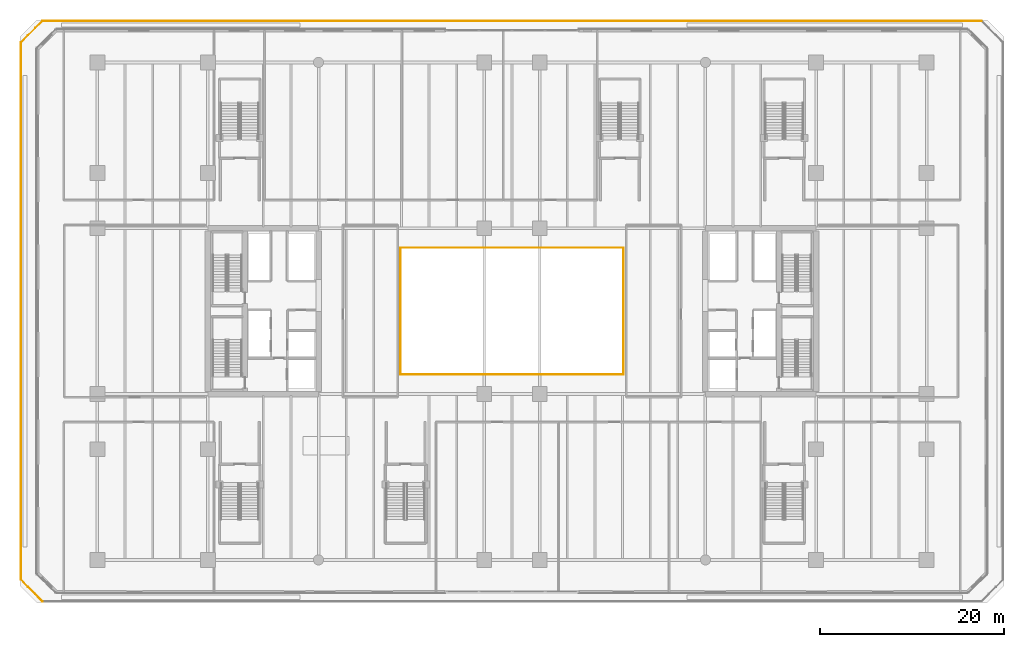
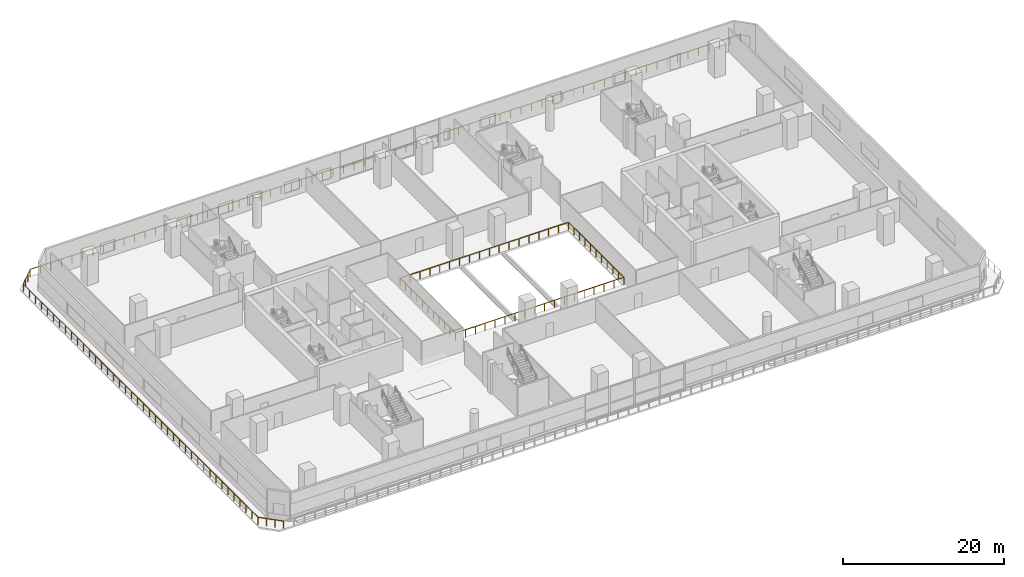
# One storey, part 19 of 27: 3 railings.
"""IFC4 building model written with IfcOpenShell, lengths in metres."""

from ifc_helpers import new_model, si_unit, direction, frame, origin, place, context, subcontext, project, spatial, rectangle, extrude, material, type_object, element, save


model = new_model("IFC4")

# Units and contexts
model_context = context("Model", 3, precision=1e-05, world=origin(), true_north=direction((0.0, 1.0)))
body_context = subcontext(model_context, "Body", "Model", "MODEL_VIEW")
ifc_project = project(units=[si_unit("LENGTHUNIT", "METRE"), si_unit("AREAUNIT", "SQUARE_METRE"), si_unit("VOLUMEUNIT", "CUBIC_METRE"), si_unit("PLANEANGLEUNIT", "RADIAN"), si_unit("MASSUNIT", "GRAM", prefix="KILO")], contexts=[model_context])

# Site, building, storey
site_placement = place(None, origin())
site = spatial("IfcSite", under=ifc_project, at=site_placement, CompositionType="ELEMENT")
building_placement = place(site_placement, origin())
building = spatial("IfcBuilding", under=site, at=building_placement, Name="Tanjung Sevakor Pilgrim Tower", CompositionType="ELEMENT")
storey_placement = place(building_placement, frame((0.0, 0.0, 14.85009765625)))
storey = spatial("IfcBuildingStorey", under=building, at=storey_placement, Name="L04", CompositionType="ELEMENT", Elevation=14.85009765625)

# Railings
ifc_material_1 = material(Name="Laminated Glass and Aluminium", Category="aluminium")
railing_type_1 = type_object("IfcRailingType", Name="RL-BAL-BALUST", PredefinedType="BALUSTRADE", material=ifc_material_1)
railing_1_placement = place(storey_placement, frame((44.919921875, 26.719970703125, 0.0)))
element("IfcRailing", 1, at=railing_1_placement, inside=storey, type_object=railing_type_1, Name="L04 Void Opening Balustrade 1A", PredefinedType="BALUSTRADE", context=body_context, shape_type="SweptSolid", body=[
    extrude(rectangle(XDim=0.0479, YDim=0.0479), frame((0.0, 0.0, 1.1259765625), z_axis=(1.0, 0.0, 0.0), x_axis=(0.0, 1.0, 0.0)), (0.0, 0.0, 1.0), 24.16015625),
    extrude(rectangle(XDim=0.0479, YDim=0.0479), frame((24.16015625, 0.0, 1.1259765625), z_axis=(0.0, 1.0, 0.0), x_axis=(-1.0, 0.0, 0.0)), (0.0, 0.0, 1.0), 13.760009765625),
    extrude(rectangle(XDim=0.042, YDim=0.042), origin(), (0.0, 0.0, 1.0), 1.101806640625),
    extrude(rectangle(XDim=0.042, YDim=0.042), frame((1.421142578125, 0.0, 0.0)), (0.0, 0.0, 1.0), 1.101806640625),
    extrude(rectangle(XDim=0.042, YDim=0.042), frame((2.84228515625, 0.0, 0.0)), (0.0, 0.0, 1.0), 1.101806640625),
    extrude(rectangle(XDim=0.042, YDim=0.042), frame((4.263671875, 0.0, 0.0)), (0.0, 0.0, 1.0), 1.101806640625),
    extrude(rectangle(XDim=0.042, YDim=0.042), frame((5.684814453125, 0.0, 0.0)), (0.0, 0.0, 1.0), 1.101806640625),
    extrude(rectangle(XDim=0.042, YDim=0.042), frame((7.10595703125, 0.0, 0.0)), (0.0, 0.0, 1.0), 1.101806640625),
    extrude(rectangle(XDim=0.042, YDim=0.042), frame((8.527099609375, 0.0, 0.0)), (0.0, 0.0, 1.0), 1.101806640625),
    extrude(rectangle(XDim=0.042, YDim=0.042), frame((9.9482421875, 0.0, 0.0)), (0.0, 0.0, 1.0), 1.101806640625),
    extrude(rectangle(XDim=0.042, YDim=0.042), frame((11.369384765625, 0.0, 0.0)), (0.0, 0.0, 1.0), 1.101806640625),
    extrude(rectangle(XDim=0.042, YDim=0.042), frame((12.790771484375, 0.0, 0.0)), (0.0, 0.0, 1.0), 1.101806640625),
    extrude(rectangle(XDim=0.042, YDim=0.042), frame((14.2119140625, 0.0, 0.0)), (0.0, 0.0, 1.0), 1.101806640625),
    extrude(rectangle(XDim=0.042, YDim=0.042), frame((15.633056640625, 0.0, 0.0)), (0.0, 0.0, 1.0), 1.101806640625),
    extrude(rectangle(XDim=0.042, YDim=0.042), frame((17.05419921875, 0.0, 0.0)), (0.0, 0.0, 1.0), 1.101806640625),
    extrude(rectangle(XDim=0.042, YDim=0.042), frame((18.475341796875, 0.0, 0.0)), (0.0, 0.0, 1.0), 1.101806640625),
    extrude(rectangle(XDim=0.042, YDim=0.042), frame((19.896484375, 0.0, 0.0)), (0.0, 0.0, 1.0), 1.101806640625),
    extrude(rectangle(XDim=0.042, YDim=0.042), frame((21.31787109375, 0.0, 0.0)), (0.0, 0.0, 1.0), 1.101806640625),
    extrude(rectangle(XDim=0.042, YDim=0.042), frame((22.739013671875, 0.0, 0.0)), (0.0, 0.0, 1.0), 1.101806640625),
    extrude(rectangle(XDim=0.042, YDim=0.042), frame((24.16015625, 0.0, 0.0)), (0.0, 0.0, 1.0), 1.101806640625),
    extrude(rectangle(XDim=0.042, YDim=0.042), frame((24.16015625, 1.3759765625, 0.0)), (0.0, 0.0, 1.0), 1.101806640625),
    extrude(rectangle(XDim=0.042, YDim=0.042), frame((24.16015625, 2.751953125, 0.0)), (0.0, 0.0, 1.0), 1.101806640625),
    extrude(rectangle(XDim=0.042, YDim=0.042), frame((24.16015625, 4.1279296875, 0.0)), (0.0, 0.0, 1.0), 1.101806640625),
    extrude(rectangle(XDim=0.042, YDim=0.042), frame((24.16015625, 5.50390625, 0.0)), (0.0, 0.0, 1.0), 1.101806640625),
    extrude(rectangle(XDim=0.042, YDim=0.042), frame((24.16015625, 6.8798828125, 0.0)), (0.0, 0.0, 1.0), 1.101806640625),
    extrude(rectangle(XDim=0.042, YDim=0.042), frame((24.16015625, 8.256103515625, 0.0)), (0.0, 0.0, 1.0), 1.101806640625),
    extrude(rectangle(XDim=0.042, YDim=0.042), frame((24.16015625, 9.632080078125, 0.0)), (0.0, 0.0, 1.0), 1.101806640625),
    extrude(rectangle(XDim=0.042, YDim=0.042), frame((24.16015625, 11.008056640625, 0.0)), (0.0, 0.0, 1.0), 1.101806640625),
    extrude(rectangle(XDim=0.042, YDim=0.042), frame((24.16015625, 12.384033203125, 0.0)), (0.0, 0.0, 1.0), 1.101806640625),
    extrude(rectangle(XDim=0.042, YDim=0.042), frame((24.16015625, 13.760009765625, 0.0)), (0.0, 0.0, 1.0), 1.101806640625),
])
railing_2_placement = place(storey_placement, frame((69.080078125, 40.47998046875, 0.0)))
element("IfcRailing", 2, at=railing_2_placement, inside=storey, type_object=railing_type_1, Name="L04 Void Opening Balustrade 1B", PredefinedType="BALUSTRADE", context=body_context, shape_type="SweptSolid", body=[
    extrude(rectangle(XDim=0.0479, YDim=0.0479), frame((0.0, 0.0, 1.1259765625), z_axis=(-1.0, 0.0, 0.0), x_axis=(0.0, -1.0, 0.0)), (0.0, 0.0, 1.0), 24.16015625),
    extrude(rectangle(XDim=0.0479, YDim=0.0479), frame((-24.16015625, 0.0, 1.1259765625), z_axis=(0.0, -1.0, 0.0), x_axis=(1.0, 0.0, 0.0)), (0.0, 0.0, 1.0), 13.760009765625),
    extrude(rectangle(XDim=0.042, YDim=0.042), origin(), (0.0, 0.0, 1.0), 1.101806640625),
    extrude(rectangle(XDim=0.042, YDim=0.042), frame((-1.421142578125, 0.0, 0.0)), (0.0, 0.0, 1.0), 1.101806640625),
    extrude(rectangle(XDim=0.042, YDim=0.042), frame((-2.84228515625, 0.0, 0.0)), (0.0, 0.0, 1.0), 1.101806640625),
    extrude(rectangle(XDim=0.042, YDim=0.042), frame((-4.263671875, 0.0, 0.0)), (0.0, 0.0, 1.0), 1.101806640625),
    extrude(rectangle(XDim=0.042, YDim=0.042), frame((-5.684814453125, 0.0, 0.0)), (0.0, 0.0, 1.0), 1.101806640625),
    extrude(rectangle(XDim=0.042, YDim=0.042), frame((-7.10595703125, 0.0, 0.0)), (0.0, 0.0, 1.0), 1.101806640625),
    extrude(rectangle(XDim=0.042, YDim=0.042), frame((-8.527099609375, 0.0, 0.0)), (0.0, 0.0, 1.0), 1.101806640625),
    extrude(rectangle(XDim=0.042, YDim=0.042), frame((-9.9482421875, 0.0, 0.0)), (0.0, 0.0, 1.0), 1.101806640625),
    extrude(rectangle(XDim=0.042, YDim=0.042), frame((-11.369384765625, 0.0, 0.0)), (0.0, 0.0, 1.0), 1.101806640625),
    extrude(rectangle(XDim=0.042, YDim=0.042), frame((-12.790771484375, 0.0, 0.0)), (0.0, 0.0, 1.0), 1.101806640625),
    extrude(rectangle(XDim=0.042, YDim=0.042), frame((-14.2119140625, 0.0, 0.0)), (0.0, 0.0, 1.0), 1.101806640625),
    extrude(rectangle(XDim=0.042, YDim=0.042), frame((-15.633056640625, 0.0, 0.0)), (0.0, 0.0, 1.0), 1.101806640625),
    extrude(rectangle(XDim=0.042, YDim=0.042), frame((-17.05419921875, 0.0, 0.0)), (0.0, 0.0, 1.0), 1.101806640625),
    extrude(rectangle(XDim=0.042, YDim=0.042), frame((-18.475341796875, 0.0, 0.0)), (0.0, 0.0, 1.0), 1.101806640625),
    extrude(rectangle(XDim=0.042, YDim=0.042), frame((-19.896484375, 0.0, 0.0)), (0.0, 0.0, 1.0), 1.101806640625),
    extrude(rectangle(XDim=0.042, YDim=0.042), frame((-21.31787109375, 0.0, 0.0)), (0.0, 0.0, 1.0), 1.101806640625),
    extrude(rectangle(XDim=0.042, YDim=0.042), frame((-22.739013671875, 0.0, 0.0)), (0.0, 0.0, 1.0), 1.101806640625),
    extrude(rectangle(XDim=0.042, YDim=0.042), frame((-24.16015625, 0.0, 0.0)), (0.0, 0.0, 1.0), 1.101806640625),
    extrude(rectangle(XDim=0.042, YDim=0.042), frame((-24.16015625, -1.3759765625, 0.0)), (0.0, 0.0, 1.0), 1.101806640625),
    extrude(rectangle(XDim=0.042, YDim=0.042), frame((-24.16015625, -2.751953125, 0.0)), (0.0, 0.0, 1.0), 1.101806640625),
    extrude(rectangle(XDim=0.042, YDim=0.042), frame((-24.16015625, -4.1279296875, 0.0)), (0.0, 0.0, 1.0), 1.101806640625),
    extrude(rectangle(XDim=0.042, YDim=0.042), frame((-24.16015625, -5.50390625, 0.0)), (0.0, 0.0, 1.0), 1.101806640625),
    extrude(rectangle(XDim=0.042, YDim=0.042), frame((-24.16015625, -6.8798828125, 0.0)), (0.0, 0.0, 1.0), 1.101806640625),
    extrude(rectangle(XDim=0.042, YDim=0.042), frame((-24.16015625, -8.256103515625, 0.0)), (0.0, 0.0, 1.0), 1.101806640625),
    extrude(rectangle(XDim=0.042, YDim=0.042), frame((-24.16015625, -9.632080078125, 0.0)), (0.0, 0.0, 1.0), 1.101806640625),
    extrude(rectangle(XDim=0.042, YDim=0.042), frame((-24.16015625, -11.008056640625, 0.0)), (0.0, 0.0, 1.0), 1.101806640625),
    extrude(rectangle(XDim=0.042, YDim=0.042), frame((-24.16015625, -12.384033203125, 0.0)), (0.0, 0.0, 1.0), 1.101806640625),
    extrude(rectangle(XDim=0.042, YDim=0.042), frame((-24.16015625, -13.760009765625, 0.0)), (0.0, 0.0, 1.0), 1.101806640625),
])
ifc_material_2 = material(Name="Steel S355J2", Category="steel")
railing_type_2 = type_object("IfcRailingType", Name="RL-EXT-GUARD", PredefinedType="GUARDRAIL", material=ifc_material_2)
railing_3_placement = place(storey_placement, frame((107.95849609375, 65.10009765625, 0.0)))
element("IfcRailing", 3, at=railing_3_placement, inside=storey, type_object=railing_type_2, Name="L04 Terrace Perimeter Guardrail GR-PODTER-L04-2", PredefinedType="GUARDRAIL", context=body_context, shape_type="SweptSolid", body=[
    extrude(rectangle(XDim=0.0479, YDim=0.0479), frame((0.0, 0.0, 1.1259765625), z_axis=(-1.0, 0.0, 0.0), x_axis=(0.0, -1.0, 0.0)), (0.0, 0.0, 1.0), 101.9169921875),
    extrude(rectangle(XDim=0.0479, YDim=0.0479), frame((-101.9169921875, 0.0, 1.1259765625), z_axis=(-0.707106781187, -0.707106781187, 0.0), x_axis=(0.707106781187, -0.707106781187, 0.0)), (0.0, 0.0, 1.0), 3.3115234375),
    extrude(rectangle(XDim=0.0479, YDim=0.0479), frame((-104.258544921875, -2.341552734375, 1.1259765625), z_axis=(0.0, -1.0, 0.0), x_axis=(1.0, 0.0, 0.0)), (0.0, 0.0, 1.0), 58.317138671875),
    extrude(rectangle(XDim=0.0479, YDim=0.0479), frame((-104.258544921875, -60.65869140625, 1.1259765625), z_axis=(0.707143645185, -0.707069915266, 0.0), x_axis=(0.707069915266, 0.707143645185, 0.0)), (0.0, 0.0, 1.0), 3.311279296875),
    extrude(rectangle(XDim=0.042, YDim=0.042), origin(), (0.0, 0.0, 1.0), 1.101806640625),
    extrude(rectangle(XDim=0.042, YDim=0.042), frame((-1.498779296875, 0.0, 0.0)), (0.0, 0.0, 1.0), 1.101806640625),
    extrude(rectangle(XDim=0.042, YDim=0.042), frame((-2.99755859375, 0.0, 0.0)), (0.0, 0.0, 1.0), 1.101806640625),
    extrude(rectangle(XDim=0.042, YDim=0.042), frame((-4.496337890625, 0.0, 0.0)), (0.0, 0.0, 1.0), 1.101806640625),
    extrude(rectangle(XDim=0.042, YDim=0.042), frame((-5.9951171875, 0.0, 0.0)), (0.0, 0.0, 1.0), 1.101806640625),
    extrude(rectangle(XDim=0.042, YDim=0.042), frame((-7.493896484375, 0.0, 0.0)), (0.0, 0.0, 1.0), 1.101806640625),
    extrude(rectangle(XDim=0.042, YDim=0.042), frame((-8.99267578125, 0.0, 0.0)), (0.0, 0.0, 1.0), 1.101806640625),
    extrude(rectangle(XDim=0.042, YDim=0.042), frame((-10.491455078125, 0.0, 0.0)), (0.0, 0.0, 1.0), 1.101806640625),
    extrude(rectangle(XDim=0.042, YDim=0.042), frame((-11.990234375, 0.0, 0.0)), (0.0, 0.0, 1.0), 1.101806640625),
    extrude(rectangle(XDim=0.042, YDim=0.042), frame((-13.489013671875, 0.0, 0.0)), (0.0, 0.0, 1.0), 1.101806640625),
    extrude(rectangle(XDim=0.042, YDim=0.042), frame((-14.98779296875, 0.0, 0.0)), (0.0, 0.0, 1.0), 1.101806640625),
    extrude(rectangle(XDim=0.042, YDim=0.042), frame((-16.486572265625, 0.0, 0.0)), (0.0, 0.0, 1.0), 1.101806640625),
    extrude(rectangle(XDim=0.042, YDim=0.042), frame((-17.9853515625, 0.0, 0.0)), (0.0, 0.0, 1.0), 1.101806640625),
    extrude(rectangle(XDim=0.042, YDim=0.042), frame((-19.484130859375, 0.0, 0.0)), (0.0, 0.0, 1.0), 1.101806640625),
    extrude(rectangle(XDim=0.042, YDim=0.042), frame((-20.98291015625, 0.0, 0.0)), (0.0, 0.0, 1.0), 1.101806640625),
    extrude(rectangle(XDim=0.042, YDim=0.042), frame((-22.481689453125, 0.0, 0.0)), (0.0, 0.0, 1.0), 1.101806640625),
    extrude(rectangle(XDim=0.042, YDim=0.042), frame((-23.98046875, 0.0, 0.0)), (0.0, 0.0, 1.0), 1.101806640625),
    extrude(rectangle(XDim=0.042, YDim=0.042), frame((-25.479248046875, 0.0, 0.0)), (0.0, 0.0, 1.0), 1.101806640625),
    extrude(rectangle(XDim=0.042, YDim=0.042), frame((-26.97802734375, 0.0, 0.0)), (0.0, 0.0, 1.0), 1.101806640625),
    extrude(rectangle(XDim=0.042, YDim=0.042), frame((-28.476806640625, 0.0, 0.0)), (0.0, 0.0, 1.0), 1.101806640625),
    extrude(rectangle(XDim=0.042, YDim=0.042), frame((-29.9755859375, 0.0, 0.0)), (0.0, 0.0, 1.0), 1.101806640625),
    extrude(rectangle(XDim=0.042, YDim=0.042), frame((-31.474365234375, 0.0, 0.0)), (0.0, 0.0, 1.0), 1.101806640625),
    extrude(rectangle(XDim=0.042, YDim=0.042), frame((-32.97314453125, 0.0, 0.0)), (0.0, 0.0, 1.0), 1.101806640625),
    extrude(rectangle(XDim=0.042, YDim=0.042), frame((-34.471923828125, 0.0, 0.0)), (0.0, 0.0, 1.0), 1.101806640625),
    extrude(rectangle(XDim=0.042, YDim=0.042), frame((-35.970703125, 0.0, 0.0)), (0.0, 0.0, 1.0), 1.101806640625),
    extrude(rectangle(XDim=0.042, YDim=0.042), frame((-37.469482421875, 0.0, 0.0)), (0.0, 0.0, 1.0), 1.101806640625),
    extrude(rectangle(XDim=0.042, YDim=0.042), frame((-38.96826171875, 0.0, 0.0)), (0.0, 0.0, 1.0), 1.101806640625),
    extrude(rectangle(XDim=0.042, YDim=0.042), frame((-40.467041015625, 0.0, 0.0)), (0.0, 0.0, 1.0), 1.101806640625),
    extrude(rectangle(XDim=0.042, YDim=0.042), frame((-41.9658203125, 0.0, 0.0)), (0.0, 0.0, 1.0), 1.101806640625),
    extrude(rectangle(XDim=0.042, YDim=0.042), frame((-43.464599609375, 0.0, 0.0)), (0.0, 0.0, 1.0), 1.101806640625),
    extrude(rectangle(XDim=0.042, YDim=0.042), frame((-44.96337890625, 0.0, 0.0)), (0.0, 0.0, 1.0), 1.101806640625),
    extrude(rectangle(XDim=0.042, YDim=0.042), frame((-46.462158203125, 0.0, 0.0)), (0.0, 0.0, 1.0), 1.101806640625),
    extrude(rectangle(XDim=0.042, YDim=0.042), frame((-47.9609375, 0.0, 0.0)), (0.0, 0.0, 1.0), 1.101806640625),
    extrude(rectangle(XDim=0.042, YDim=0.042), frame((-49.459716796875, 0.0, 0.0)), (0.0, 0.0, 1.0), 1.101806640625),
    extrude(rectangle(XDim=0.042, YDim=0.042), frame((-50.95849609375, 0.0, 0.0)), (0.0, 0.0, 1.0), 1.101806640625),
    extrude(rectangle(XDim=0.042, YDim=0.042), frame((-52.457275390625, 0.0, 0.0)), (0.0, 0.0, 1.0), 1.101806640625),
    extrude(rectangle(XDim=0.042, YDim=0.042), frame((-53.9560546875, 0.0, 0.0)), (0.0, 0.0, 1.0), 1.101806640625),
    extrude(rectangle(XDim=0.042, YDim=0.042), frame((-55.454833984375, 0.0, 0.0)), (0.0, 0.0, 1.0), 1.101806640625),
    extrude(rectangle(XDim=0.042, YDim=0.042), frame((-56.95361328125, 0.0, 0.0)), (0.0, 0.0, 1.0), 1.101806640625),
    extrude(rectangle(XDim=0.042, YDim=0.042), frame((-58.452392578125, 0.0, 0.0)), (0.0, 0.0, 1.0), 1.101806640625),
    extrude(rectangle(XDim=0.042, YDim=0.042), frame((-59.951171875, 0.0, 0.0)), (0.0, 0.0, 1.0), 1.101806640625),
    extrude(rectangle(XDim=0.042, YDim=0.042), frame((-61.449951171875, 0.0, 0.0)), (0.0, 0.0, 1.0), 1.101806640625),
    extrude(rectangle(XDim=0.042, YDim=0.042), frame((-62.94873046875, 0.0, 0.0)), (0.0, 0.0, 1.0), 1.101806640625),
    extrude(rectangle(XDim=0.042, YDim=0.042), frame((-64.447509765625, 0.0, 0.0)), (0.0, 0.0, 1.0), 1.101806640625),
    extrude(rectangle(XDim=0.042, YDim=0.042), frame((-65.9462890625, 0.0, 0.0)), (0.0, 0.0, 1.0), 1.101806640625),
    extrude(rectangle(XDim=0.042, YDim=0.042), frame((-67.445068359375, 0.0, 0.0)), (0.0, 0.0, 1.0), 1.101806640625),
    extrude(rectangle(XDim=0.042, YDim=0.042), frame((-68.94384765625, 0.0, 0.0)), (0.0, 0.0, 1.0), 1.101806640625),
    extrude(rectangle(XDim=0.042, YDim=0.042), frame((-70.442626953125, 0.0, 0.0)), (0.0, 0.0, 1.0), 1.101806640625),
    extrude(rectangle(XDim=0.042, YDim=0.042), frame((-71.94140625, 0.0, 0.0)), (0.0, 0.0, 1.0), 1.101806640625),
    extrude(rectangle(XDim=0.042, YDim=0.042), frame((-73.440185546875, 0.0, 0.0)), (0.0, 0.0, 1.0), 1.101806640625),
    extrude(rectangle(XDim=0.042, YDim=0.042), frame((-74.93896484375, 0.0, 0.0)), (0.0, 0.0, 1.0), 1.101806640625),
    extrude(rectangle(XDim=0.042, YDim=0.042), frame((-76.437744140625, 0.0, 0.0)), (0.0, 0.0, 1.0), 1.101806640625),
    extrude(rectangle(XDim=0.042, YDim=0.042), frame((-77.9365234375, 0.0, 0.0)), (0.0, 0.0, 1.0), 1.101806640625),
    extrude(rectangle(XDim=0.042, YDim=0.042), frame((-79.435302734375, 0.0, 0.0)), (0.0, 0.0, 1.0), 1.101806640625),
    extrude(rectangle(XDim=0.042, YDim=0.042), frame((-80.93408203125, 0.0, 0.0)), (0.0, 0.0, 1.0), 1.101806640625),
    extrude(rectangle(XDim=0.042, YDim=0.042), frame((-82.432861328125, 0.0, 0.0)), (0.0, 0.0, 1.0), 1.101806640625),
    extrude(rectangle(XDim=0.042, YDim=0.042), frame((-83.931640625, 0.0, 0.0)), (0.0, 0.0, 1.0), 1.101806640625),
    extrude(rectangle(XDim=0.042, YDim=0.042), frame((-85.430419921875, 0.0, 0.0)), (0.0, 0.0, 1.0), 1.101806640625),
    extrude(rectangle(XDim=0.042, YDim=0.042), frame((-86.92919921875, 0.0, 0.0)), (0.0, 0.0, 1.0), 1.101806640625),
    extrude(rectangle(XDim=0.042, YDim=0.042), frame((-88.427978515625, 0.0, 0.0)), (0.0, 0.0, 1.0), 1.101806640625),
    extrude(rectangle(XDim=0.042, YDim=0.042), frame((-89.9267578125, 0.0, 0.0)), (0.0, 0.0, 1.0), 1.101806640625),
    extrude(rectangle(XDim=0.042, YDim=0.042), frame((-91.425537109375, 0.0, 0.0)), (0.0, 0.0, 1.0), 1.101806640625),
    extrude(rectangle(XDim=0.042, YDim=0.042), frame((-92.92431640625, 0.0, 0.0)), (0.0, 0.0, 1.0), 1.101806640625),
    extrude(rectangle(XDim=0.042, YDim=0.042), frame((-94.423095703125, 0.0, 0.0)), (0.0, 0.0, 1.0), 1.101806640625),
    extrude(rectangle(XDim=0.042, YDim=0.042), frame((-95.921875, 0.0, 0.0)), (0.0, 0.0, 1.0), 1.101806640625),
    extrude(rectangle(XDim=0.042, YDim=0.042), frame((-97.420654296875, 0.0, 0.0)), (0.0, 0.0, 1.0), 1.101806640625),
    extrude(rectangle(XDim=0.042, YDim=0.042), frame((-98.91943359375, 0.0, 0.0)), (0.0, 0.0, 1.0), 1.101806640625),
    extrude(rectangle(XDim=0.042, YDim=0.042), frame((-100.418212890625, 0.0, 0.0)), (0.0, 0.0, 1.0), 1.101806640625),
    extrude(rectangle(XDim=0.042, YDim=0.042), frame((-101.9169921875, 0.0, 0.0)), (0.0, 0.0, 1.0), 1.101806640625),
    extrude(rectangle(XDim=0.042, YDim=0.042), frame((-102.697509765625, -0.780517578125, 0.0)), (0.0, 0.0, 1.0), 1.101806640625),
    extrude(rectangle(XDim=0.042, YDim=0.042), frame((-103.47802734375, -1.56103515625, 0.0)), (0.0, 0.0, 1.0), 1.101806640625),
    extrude(rectangle(XDim=0.042, YDim=0.042), frame((-104.258544921875, -2.341552734375, 0.0)), (0.0, 0.0, 1.0), 1.101806640625),
    extrude(rectangle(XDim=0.042, YDim=0.042), frame((-104.258544921875, -3.8369140625, 0.0)), (0.0, 0.0, 1.0), 1.101806640625),
    extrude(rectangle(XDim=0.042, YDim=0.042), frame((-104.258544921875, -5.332275390625, 0.0)), (0.0, 0.0, 1.0), 1.101806640625),
    extrude(rectangle(XDim=0.042, YDim=0.042), frame((-104.258544921875, -6.827392578125, 0.0)), (0.0, 0.0, 1.0), 1.101806640625),
    extrude(rectangle(XDim=0.042, YDim=0.042), frame((-104.258544921875, -8.32275390625, 0.0)), (0.0, 0.0, 1.0), 1.101806640625),
    extrude(rectangle(XDim=0.042, YDim=0.042), frame((-104.258544921875, -9.818115234375, 0.0)), (0.0, 0.0, 1.0), 1.101806640625),
    extrude(rectangle(XDim=0.042, YDim=0.042), frame((-104.258544921875, -11.3134765625, 0.0)), (0.0, 0.0, 1.0), 1.101806640625),
    extrude(rectangle(XDim=0.042, YDim=0.042), frame((-104.258544921875, -12.808837890625, 0.0)), (0.0, 0.0, 1.0), 1.101806640625),
    extrude(rectangle(XDim=0.042, YDim=0.042), frame((-104.258544921875, -14.303955078125, 0.0)), (0.0, 0.0, 1.0), 1.101806640625),
    extrude(rectangle(XDim=0.042, YDim=0.042), frame((-104.258544921875, -15.79931640625, 0.0)), (0.0, 0.0, 1.0), 1.101806640625),
    extrude(rectangle(XDim=0.042, YDim=0.042), frame((-104.258544921875, -17.294677734375, 0.0)), (0.0, 0.0, 1.0), 1.101806640625),
    extrude(rectangle(XDim=0.042, YDim=0.042), frame((-104.258544921875, -18.7900390625, 0.0)), (0.0, 0.0, 1.0), 1.101806640625),
    extrude(rectangle(XDim=0.042, YDim=0.042), frame((-104.258544921875, -20.285400390625, 0.0)), (0.0, 0.0, 1.0), 1.101806640625),
    extrude(rectangle(XDim=0.042, YDim=0.042), frame((-104.258544921875, -21.780517578125, 0.0)), (0.0, 0.0, 1.0), 1.101806640625),
    extrude(rectangle(XDim=0.042, YDim=0.042), frame((-104.258544921875, -23.27587890625, 0.0)), (0.0, 0.0, 1.0), 1.101806640625),
    extrude(rectangle(XDim=0.042, YDim=0.042), frame((-104.258544921875, -24.771240234375, 0.0)), (0.0, 0.0, 1.0), 1.101806640625),
    extrude(rectangle(XDim=0.042, YDim=0.042), frame((-104.258544921875, -26.2666015625, 0.0)), (0.0, 0.0, 1.0), 1.101806640625),
    extrude(rectangle(XDim=0.042, YDim=0.042), frame((-104.258544921875, -27.761962890625, 0.0)), (0.0, 0.0, 1.0), 1.101806640625),
    extrude(rectangle(XDim=0.042, YDim=0.042), frame((-104.258544921875, -29.257080078125, 0.0)), (0.0, 0.0, 1.0), 1.101806640625),
    extrude(rectangle(XDim=0.042, YDim=0.042), frame((-104.258544921875, -30.75244140625, 0.0)), (0.0, 0.0, 1.0), 1.101806640625),
    extrude(rectangle(XDim=0.042, YDim=0.042), frame((-104.258544921875, -32.247802734375, 0.0)), (0.0, 0.0, 1.0), 1.101806640625),
    extrude(rectangle(XDim=0.042, YDim=0.042), frame((-104.258544921875, -33.7431640625, 0.0)), (0.0, 0.0, 1.0), 1.101806640625),
    extrude(rectangle(XDim=0.042, YDim=0.042), frame((-104.258544921875, -35.23828125, 0.0)), (0.0, 0.0, 1.0), 1.101806640625),
    extrude(rectangle(XDim=0.042, YDim=0.042), frame((-104.258544921875, -36.733642578125, 0.0)), (0.0, 0.0, 1.0), 1.101806640625),
    extrude(rectangle(XDim=0.042, YDim=0.042), frame((-104.258544921875, -38.22900390625, 0.0)), (0.0, 0.0, 1.0), 1.101806640625),
    extrude(rectangle(XDim=0.042, YDim=0.042), frame((-104.258544921875, -39.724365234375, 0.0)), (0.0, 0.0, 1.0), 1.101806640625),
    extrude(rectangle(XDim=0.042, YDim=0.042), frame((-104.258544921875, -41.2197265625, 0.0)), (0.0, 0.0, 1.0), 1.101806640625),
    extrude(rectangle(XDim=0.042, YDim=0.042), frame((-104.258544921875, -42.71484375, 0.0)), (0.0, 0.0, 1.0), 1.101806640625),
    extrude(rectangle(XDim=0.042, YDim=0.042), frame((-104.258544921875, -44.210205078125, 0.0)), (0.0, 0.0, 1.0), 1.101806640625),
    extrude(rectangle(XDim=0.042, YDim=0.042), frame((-104.258544921875, -45.70556640625, 0.0)), (0.0, 0.0, 1.0), 1.101806640625),
    extrude(rectangle(XDim=0.042, YDim=0.042), frame((-104.258544921875, -47.200927734375, 0.0)), (0.0, 0.0, 1.0), 1.101806640625),
    extrude(rectangle(XDim=0.042, YDim=0.042), frame((-104.258544921875, -48.6962890625, 0.0)), (0.0, 0.0, 1.0), 1.101806640625),
    extrude(rectangle(XDim=0.042, YDim=0.042), frame((-104.258544921875, -50.19140625, 0.0)), (0.0, 0.0, 1.0), 1.101806640625),
    extrude(rectangle(XDim=0.042, YDim=0.042), frame((-104.258544921875, -51.686767578125, 0.0)), (0.0, 0.0, 1.0), 1.101806640625),
    extrude(rectangle(XDim=0.042, YDim=0.042), frame((-104.258544921875, -53.18212890625, 0.0)), (0.0, 0.0, 1.0), 1.101806640625),
    extrude(rectangle(XDim=0.042, YDim=0.042), frame((-104.258544921875, -54.677490234375, 0.0)), (0.0, 0.0, 1.0), 1.101806640625),
    extrude(rectangle(XDim=0.042, YDim=0.042), frame((-104.258544921875, -56.1728515625, 0.0)), (0.0, 0.0, 1.0), 1.101806640625),
    extrude(rectangle(XDim=0.042, YDim=0.042), frame((-104.258544921875, -57.66796875, 0.0)), (0.0, 0.0, 1.0), 1.101806640625),
    extrude(rectangle(XDim=0.042, YDim=0.042), frame((-104.258544921875, -59.163330078125, 0.0)), (0.0, 0.0, 1.0), 1.101806640625),
    extrude(rectangle(XDim=0.042, YDim=0.042), frame((-104.258544921875, -60.65869140625, 0.0)), (0.0, 0.0, 1.0), 1.101806640625),
    extrude(rectangle(XDim=0.042, YDim=0.042), frame((-103.47802734375, -61.439208984375, 0.0)), (0.0, 0.0, 1.0), 1.101806640625),
    extrude(rectangle(XDim=0.042, YDim=0.042), frame((-102.697509765625, -62.219482421875, 0.0)), (0.0, 0.0, 1.0), 1.101806640625),
    extrude(rectangle(XDim=0.042, YDim=0.042), frame((-101.9169921875, -63.0, 0.0)), (0.0, 0.0, 1.0), 1.101806640625),
])

save(model, "model.ifc")
